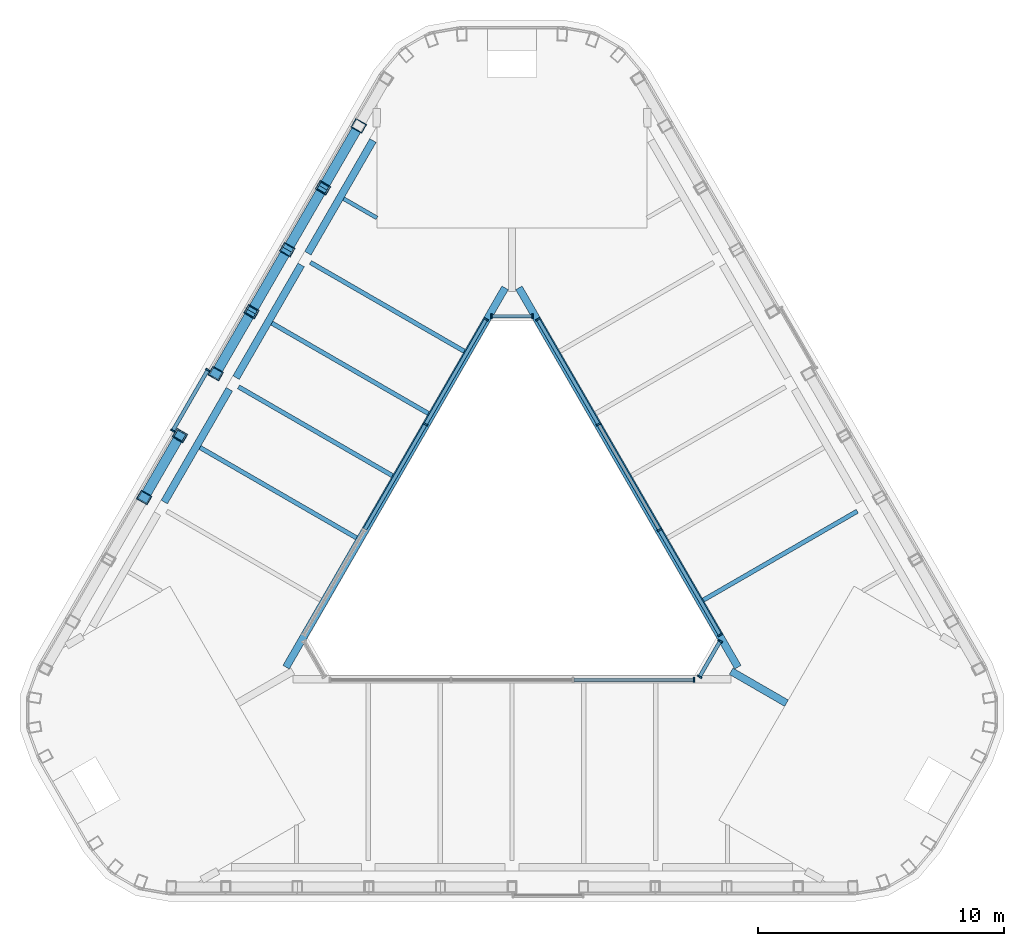
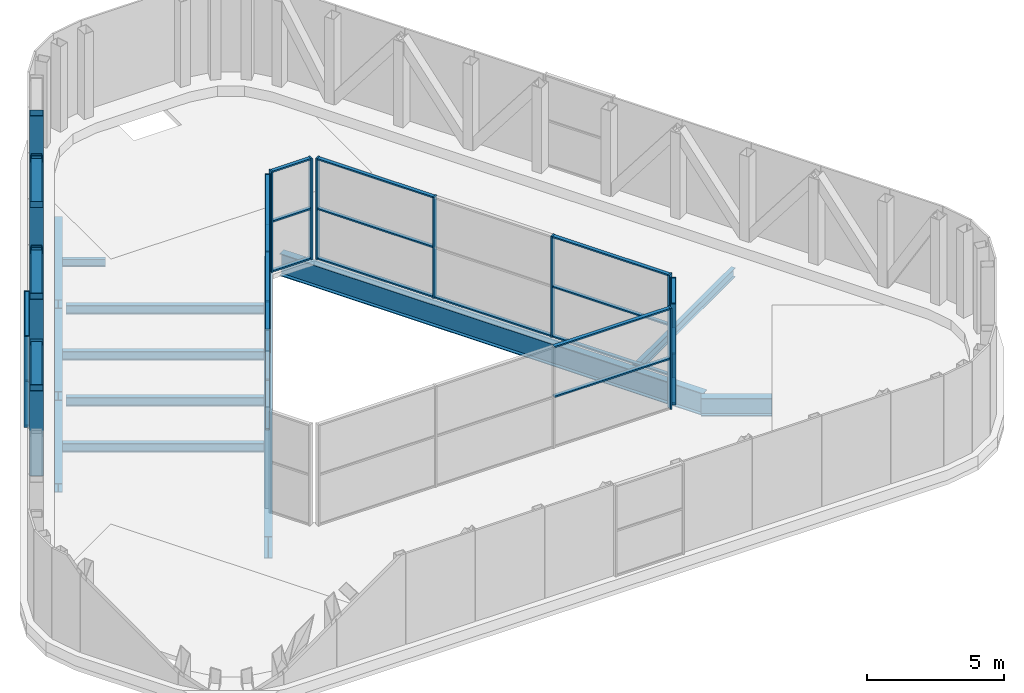
# One storey, part 2 of 5: 49 members, 12 beams, 6 elements without a shape of their own.
"""IFC4 building model written with IfcOpenShell, lengths in metres."""

from ifc_helpers import new_model, si_unit, direction, frame, origin, origin_2d, place, context, subcontext, project, spatial, rectangle, hollow_rectangle, i_section, extrude, material, layer, layer_set, material_profile, profile_set, type_object, element, aggregate, save


model = new_model("IFC4")

# Units and contexts
model_context = context("Model", 3, precision=1e-05, world=origin(), true_north=direction((0.0, 1.0)))
body_context = subcontext(model_context, "Body", "Model", "MODEL_VIEW")
ifc_project = project(units=[si_unit("LENGTHUNIT", "METRE"), si_unit("AREAUNIT", "SQUARE_METRE"), si_unit("VOLUMEUNIT", "CUBIC_METRE"), si_unit("PLANEANGLEUNIT", "RADIAN"), si_unit("MASSUNIT", "GRAM", prefix="KILO")], contexts=[model_context])

# Site, building, storey
site_placement = place(None, origin())
site = spatial("IfcSite", under=ifc_project, at=site_placement, CompositionType="ELEMENT")
building_placement = place(site_placement, origin())
building = spatial("IfcBuilding", under=site, at=building_placement, Name="Apuvela Tower Hotel", CompositionType="ELEMENT")
storey_placement = place(building_placement, frame((0.0, 0.0, 348.800048828125)))
storey = spatial("IfcBuildingStorey", under=building, at=storey_placement, Name="R-2 ROOF", CompositionType="ELEMENT", Elevation=348.800048828125)

# Members
ifc_material_1 = material(Name="Steel S355, black paint system", Category="steel")
ifc_material_profile_1 = material_profile(ifc_material_1, hollow_rectangle(XDim=0.39990234375, YDim=0.39990234375, WallThickness=0.01611328125, at=origin_2d()), Name="HSS 400x400x16")
ifc_profile_set_1 = profile_set([ifc_material_profile_1], Name="Steel S355, black paint system")
member_type_1 = type_object("IfcMemberType", Name="ENV-CROWN-BRACE-400x400", PredefinedType="BRACE", material=ifc_profile_set_1)
member_1_placement = place(storey_placement, frame((-6.236572265625, 17.050537109375, 0.449951171875), z_axis=(-0.304086116951, -0.526783429164, 0.793744828164), x_axis=(0.866062731661, -0.499935340648, 0.0)))
element("IfcMember", 1, at=member_1_placement, inside=storey, type_object=member_type_1, Name="Crown frame brace 8", PredefinedType="BRACE", context=body_context, shape_type="SweptSolid", body=[
    extrude(hollow_rectangle(XDim=0.39990234375, YDim=0.39990234375, WallThickness=0.01611328125, at=origin_2d()), origin(), (0.0, 0.0, 1.0), 4.78759765625),
])
for number, where, z_axis, x_axis, name in (
    (2, (-9.1484375, 12.0068359375, 0.449951171875), (0.304140565661, 0.526738414272, 0.793753840463), (-0.866005469285, 0.500034525977, 0.0), "Crown frame brace 9"),
    (3, (-9.1484375, 12.0068359375, 0.449951171875), (-0.304140565661, -0.526738414272, 0.793753840463), (0.866005469285, -0.500034525977, 0.0), "Crown frame brace 10"),
):
    element("IfcMember", number, at=place(storey_placement, frame(where, z_axis=z_axis, x_axis=x_axis)), inside=storey, type_object=member_type_1, Name=name, PredefinedType="BRACE", context=body_context, shape_type="SweptSolid", body=[
        extrude(hollow_rectangle(XDim=0.39990234375, YDim=0.39990234375, WallThickness=0.01611328125, at=origin_2d()), origin(), (0.0, 0.0, 1.0), 4.787353515625),
    ])
member_2_placement = place(storey_placement, frame((-12.060302734375, 6.963134765625, 0.449951171875), z_axis=(0.304086116951, 0.526783429164, 0.793744828164), x_axis=(-0.866062731661, 0.499935340648, 0.0)))
element("IfcMember", 4, at=member_2_placement, inside=storey, type_object=member_type_1, Name="Crown frame brace 11", PredefinedType="BRACE", context=body_context, shape_type="SweptSolid", body=[
    extrude(hollow_rectangle(XDim=0.39990234375, YDim=0.39990234375, WallThickness=0.01611328125, at=origin_2d()), origin(), (0.0, 0.0, 1.0), 4.78759765625),
])
member_3_placement = place(storey_placement, frame((-14.972412109375, 1.91943359375, 0.449951171875), z_axis=(0.304140565661, 0.526738414272, 0.793753840463), x_axis=(-0.866005469285, 0.500034525977, 0.0)))
element("IfcMember", 5, at=member_3_placement, inside=storey, type_object=member_type_1, Name="Crown frame brace 13", PredefinedType="BRACE", context=body_context, shape_type="SweptSolid", body=[
    extrude(hollow_rectangle(XDim=0.39990234375, YDim=0.39990234375, WallThickness=0.01611328125, at=origin_2d()), origin(), (0.0, 0.0, 1.0), 4.787353515625),
])
ifc_material_profile_2 = material_profile(ifc_material_1, hollow_rectangle(XDim=0.39990234375, YDim=0.5, WallThickness=0.02001953125, at=origin_2d()), Name="HSS 500x400x20")
ifc_profile_set_2 = profile_set([ifc_material_profile_2], Name="Steel S355, black paint system")
member_type_2 = type_object("IfcMemberType", Name="ENV-CROWN-POST-500x400", PredefinedType="POST", material=ifc_profile_set_2)
for number, where, z_axis, x_axis, name in (
    (6, (-6.236572265625, 17.050537109375, 0.449951171875), (0.0, 0.0, 1.0), (-0.5, -0.866025403784, 0.0), "Crown frame post 8"),
    (7, (-7.6923828125, 14.528564453125, 0.449951171875), (0.0, 0.0, 1.0), (-0.5, -0.866025403784, 0.0), "Crown frame post 9"),
    (8, (-9.1484375, 12.0068359375, 0.449951171875), (0.0, 0.0, 1.0), (-0.5, -0.866025403784, 0.0), "Crown frame post 10"),
    (9, (-10.6044921875, 9.485107421875, 0.449951171875), (0.0, 0.0, 1.0), (-0.5, -0.866025403784, 0.0), "Crown frame post 11"),
    (10, (-12.060302734375, 6.963134765625, 0.449951171875), (0.0, 0.0, 1.0), (-0.5, -0.866025403784, 0.0), "Crown frame post 12"),
    (11, (-13.516357421875, 4.441162109375, 0.449951171875), (0.0, 0.0, 1.0), (-0.5, -0.866025403784, 0.0), "Crown frame post 13"),
    (12, (-14.972412109375, 1.91943359375, 0.449951171875), (0.0, 0.0, 1.0), (-0.5, -0.866025403784, 0.0), "Crown frame post 14"),
):
    element("IfcMember", number, at=place(storey_placement, frame(where, z_axis=z_axis, x_axis=x_axis)), inside=storey, type_object=member_type_2, Name=name, PredefinedType="POST", context=body_context, shape_type="SweptSolid", body=[
        extrude(hollow_rectangle(XDim=0.39990234375, YDim=0.5, WallThickness=0.02001953125, at=origin_2d()), origin(), (0.0, 0.0, 1.0), 3.800048828125),
    ])

# Curtain wall, members
ifc_material_2 = material(Name="Aluminium 6063-T6, dark bronze anodised", Category="aluminium")
ifc_layer_1 = layer(ifc_material_2, 0.199951171875)
ifc_layer_set_1 = layer_set([ifc_layer_1], Name="ENV-CW-C")
curtain_wall_type_1 = type_object("IfcCurtainWallType", Name="ENV-CW-C", PredefinedType="NOTDEFINED", material=ifc_layer_set_1)
curtain_wall_1_placement = place(storey_placement, origin())
curtain_wall_1 = element("IfcCurtainWall", 13, at=curtain_wall_1_placement, inside=storey, type_object=curtain_wall_type_1, Name="Crown glazing 12 R-2 ROOF", PredefinedType="NOTDEFINED")
ifc_material_profile_3 = material_profile(ifc_material_2, rectangle(XDim=0.199951171875, YDim=0.06494140625, at=origin_2d()), Name="AL 65x200")
ifc_profile_set_3 = profile_set([ifc_material_profile_3], Name="Aluminium 6063-T6, dark bronze anodised")
member_type_3 = type_object("IfcMemberType", Name="ENV-MULLION-65x200", PredefinedType="MULLION", material=ifc_profile_set_3)
member_4_placement = place(storey_placement, frame((-12.3798828125, 7.10986328125, 0.449951171875), z_axis=(0.0, 0.0, 1.0), x_axis=(0.866036603266, -0.499980601426, 0.0)))
member_4 = element("IfcMember", 14, at=member_4_placement, type_object=member_type_3, Name="CW-C mullion 1", PredefinedType="MULLION", context=body_context, shape_type="SweptSolid", body=[
    extrude(rectangle(XDim=0.199951171875, YDim=0.06494140625, at=origin_2d()), origin(), (0.0, 0.0, 1.0), 4.050048828125),
])
member_5_placement = place(storey_placement, frame((-13.805908203125, 4.6396484375, 0.449951171875), z_axis=(0.0, 0.0, 1.0), x_axis=(0.866036603266, -0.499980601426, 0.0)))
member_5 = element("IfcMember", 15, at=member_5_placement, type_object=member_type_3, Name="CW-C mullion 2", PredefinedType="MULLION", context=body_context, shape_type="SweptSolid", body=[
    extrude(rectangle(XDim=0.199951171875, YDim=0.06494140625, at=origin_2d()), origin(), (0.0, 0.0, 1.0), 4.050048828125),
])

ifc_layer_2 = layer(ifc_material_2, 0.199951171875)
ifc_layer_set_2 = layer_set([ifc_layer_2], Name="ENV-CW-A")
curtain_wall_type_2 = type_object("IfcCurtainWallType", Name="ENV-CW-A", PredefinedType="NOTDEFINED", material=ifc_layer_set_2)
curtain_wall_2_placement = place(storey_placement, origin())
curtain_wall_2 = element("IfcCurtainWall", 16, at=curtain_wall_2_placement, inside=storey, type_object=curtain_wall_type_2, Name="Atrium glazing 1 R-2 ROOF", PredefinedType="NOTDEFINED")
member_6_placement = place(storey_placement, frame((0.83349609375, 9.300048828125, 0.0), z_axis=(0.0, 0.0, 1.0), x_axis=(0.0, -1.0, 0.0)))
member_6 = element("IfcMember", 17, at=member_6_placement, type_object=member_type_3, Name="CW-A mullion 1", PredefinedType="MULLION", context=body_context, shape_type="SweptSolid", body=[
    extrude(rectangle(XDim=0.199951171875, YDim=0.06494140625, at=origin_2d()), origin(), (0.0, 0.0, 1.0), 4.5),
])
member_7_placement = place(storey_placement, frame((-0.83349609375, 9.300048828125, 0.0), z_axis=(0.0, 0.0, 1.0), x_axis=(0.0, -1.0, 0.0)))
member_7 = element("IfcMember", 18, at=member_7_placement, type_object=member_type_3, Name="CW-A mullion 2", PredefinedType="MULLION", context=body_context, shape_type="SweptSolid", body=[
    extrude(rectangle(XDim=0.199951171875, YDim=0.06494140625, at=origin_2d()), origin(), (0.0, 0.0, 1.0), 4.5),
])

curtain_wall_3_placement = place(storey_placement, origin())
curtain_wall_3 = element("IfcCurtainWall", 19, at=curtain_wall_3_placement, inside=storey, type_object=curtain_wall_type_2, Name="Atrium glazing 2 R-2 ROOF", PredefinedType="NOTDEFINED")
member_8_placement = place(storey_placement, frame((-1.055419921875, 9.171875, 0.0), z_axis=(0.0, 0.0, 1.0), x_axis=(0.866025940778, -0.499999069899, 0.0)))
member_8 = element("IfcMember", 20, at=member_8_placement, type_object=member_type_3, Name="CW-A mullion 1", PredefinedType="MULLION", context=body_context, shape_type="SweptSolid", body=[
    extrude(rectangle(XDim=0.199951171875, YDim=0.06494140625, at=origin_2d()), origin(), (0.0, 0.0, 1.0), 4.5),
])
member_9_placement = place(storey_placement, frame((-3.521728515625, 4.89990234375, 0.0), z_axis=(0.0, 0.0, 1.0), x_axis=(0.866025940778, -0.499999069899, 0.0)))
member_9 = element("IfcMember", 21, at=member_9_placement, type_object=member_type_3, Name="CW-A mullion 2", PredefinedType="MULLION", context=body_context, shape_type="SweptSolid", body=[
    extrude(rectangle(XDim=0.199951171875, YDim=0.06494140625, at=origin_2d()), origin(), (0.0, 0.0, 1.0), 4.5),
])

# Curtain wall, member
curtain_wall_4_placement = place(storey_placement, origin())
curtain_wall_4 = element("IfcCurtainWall", 22, at=curtain_wall_4_placement, inside=storey, type_object=curtain_wall_type_2, Name="Atrium glazing 4 R-2 ROOF", PredefinedType="NOTDEFINED")
member_10_placement = place(storey_placement, frame((7.415283203125, -5.5, 0.0), z_axis=(0.0, 0.0, 1.0), x_axis=(0.0, 1.0, 0.0)))
member_10 = element("IfcMember", 23, at=member_10_placement, type_object=member_type_3, Name="CW-A mullion 4", PredefinedType="MULLION", context=body_context, shape_type="SweptSolid", body=[
    extrude(rectangle(XDim=0.199951171875, YDim=0.06494140625, at=origin_2d()), origin(), (0.0, 0.0, 1.0), 4.5),
])

# Curtain wall, members
curtain_wall_5_placement = place(storey_placement, origin())
curtain_wall_5 = element("IfcCurtainWall", 24, at=curtain_wall_5_placement, inside=storey, type_object=curtain_wall_type_2, Name="Atrium glazing 5 R-2 ROOF", PredefinedType="NOTDEFINED")
member_11_placement = place(storey_placement, frame((7.63720703125, -5.371826171875, 0.0), z_axis=(0.0, 0.0, 1.0), x_axis=(-0.866031754706, 0.49998899972, 0.0)))
member_11 = element("IfcMember", 25, at=member_11_placement, type_object=member_type_3, Name="CW-A mullion 1", PredefinedType="MULLION", context=body_context, shape_type="SweptSolid", body=[
    extrude(rectangle(XDim=0.199951171875, YDim=0.06494140625, at=origin_2d()), origin(), (0.0, 0.0, 1.0), 4.5),
])
member_12_placement = place(storey_placement, frame((8.470703125, -3.92822265625, 0.0), z_axis=(0.0, 0.0, 1.0), x_axis=(-0.866031754706, 0.49998899972, 0.0)))
member_12 = element("IfcMember", 26, at=member_12_placement, type_object=member_type_3, Name="CW-A mullion 2", PredefinedType="MULLION", context=body_context, shape_type="SweptSolid", body=[
    extrude(rectangle(XDim=0.199951171875, YDim=0.06494140625, at=origin_2d()), origin(), (0.0, 0.0, 1.0), 4.5),
])

curtain_wall_6_placement = place(storey_placement, origin())
curtain_wall_6 = element("IfcCurtainWall", 27, at=curtain_wall_6_placement, inside=storey, type_object=curtain_wall_type_2, Name="Atrium glazing 6 R-2 ROOF", PredefinedType="NOTDEFINED")
member_13_placement = place(storey_placement, frame((8.470703125, -3.671875, 0.0), z_axis=(0.0, 0.0, 1.0), x_axis=(-0.866025940778, -0.499999069899, 0.0)))
member_13 = element("IfcMember", 28, at=member_13_placement, type_object=member_type_3, Name="CW-A mullion 1", PredefinedType="MULLION", context=body_context, shape_type="SweptSolid", body=[
    extrude(rectangle(XDim=0.199951171875, YDim=0.06494140625, at=origin_2d()), origin(), (0.0, 0.0, 1.0), 4.5),
])
member_14_placement = place(storey_placement, frame((6.00439453125, 0.60009765625, 0.0), z_axis=(0.0, 0.0, 1.0), x_axis=(-0.866025940778, -0.499999069899, 0.0)))
member_14 = element("IfcMember", 29, at=member_14_placement, type_object=member_type_3, Name="CW-A mullion 2", PredefinedType="MULLION", context=body_context, shape_type="SweptSolid", body=[
    extrude(rectangle(XDim=0.199951171875, YDim=0.06494140625, at=origin_2d()), origin(), (0.0, 0.0, 1.0), 4.5),
])
member_15_placement = place(storey_placement, frame((3.521728515625, 4.89990234375, 0.0), z_axis=(0.0, 0.0, 1.0), x_axis=(-0.866025940778, -0.499999069899, 0.0)))
member_15 = element("IfcMember", 30, at=member_15_placement, type_object=member_type_3, Name="CW-A mullion 3", PredefinedType="MULLION", context=body_context, shape_type="SweptSolid", body=[
    extrude(rectangle(XDim=0.199951171875, YDim=0.06494140625, at=origin_2d()), origin(), (0.0, 0.0, 1.0), 4.5),
])
member_16_placement = place(storey_placement, frame((1.055419921875, 9.171875, 0.0), z_axis=(0.0, 0.0, 1.0), x_axis=(-0.866025940778, -0.499999069899, 0.0)))
member_16 = element("IfcMember", 31, at=member_16_placement, type_object=member_type_3, Name="CW-A mullion 4", PredefinedType="MULLION", context=body_context, shape_type="SweptSolid", body=[
    extrude(rectangle(XDim=0.199951171875, YDim=0.06494140625, at=origin_2d()), origin(), (0.0, 0.0, 1.0), 4.5),
])

# Member
ifc_material_profile_4 = material_profile(ifc_material_2, rectangle(XDim=0.14990234375, YDim=0.06494140625, at=origin_2d()), Name="AL 65x150 transom")
ifc_profile_set_4 = profile_set([ifc_material_profile_4], Name="Aluminium 6063-T6, dark bronze anodised")
member_type_4 = type_object("IfcMemberType", Name="ENV-TRANSOM-65x150", PredefinedType="USERDEFINED", material=ifc_profile_set_4)
member_17_placement = place(storey_placement, frame((-12.39599609375, 7.081787109375, 0.482421875), z_axis=(-0.500048472683, -0.865997416259, 0.0), x_axis=(0.865997416259, -0.500048472683, 0.0)))
member_17 = element("IfcMember", 32, at=member_17_placement, type_object=member_type_4, Name="CW-C transom 1.1", ObjectType="TRANSOM", PredefinedType="USERDEFINED", context=body_context, shape_type="SweptSolid", body=[
    extrude(rectangle(XDim=0.14990234375, YDim=0.06494140625, at=origin_2d()), origin(), (0.0, 0.0, 1.0), 2.787353515625),
])

member_18_placement = place(storey_placement, frame((-12.39599609375, 7.081787109375, 2.474853515625), z_axis=(-0.500048472683, -0.865997416259, 0.0), x_axis=(0.865997416259, -0.500048472683, 0.0)))
member_18 = element("IfcMember", 33, at=member_18_placement, type_object=member_type_4, Name="CW-C transom 1.2", ObjectType="TRANSOM", PredefinedType="USERDEFINED", context=body_context, shape_type="SweptSolid", body=[
    extrude(rectangle(XDim=0.14990234375, YDim=0.06494140625, at=origin_2d()), origin(), (0.0, 0.0, 1.0), 2.787353515625),
])

member_19_placement = place(storey_placement, frame((-12.39599609375, 7.081787109375, 4.467529296875), z_axis=(-0.500048472683, -0.865997416259, 0.0), x_axis=(0.865997416259, -0.500048472683, 0.0)))
member_19 = element("IfcMember", 34, at=member_19_placement, type_object=member_type_4, Name="CW-C transom 1.3", ObjectType="TRANSOM", PredefinedType="USERDEFINED", context=body_context, shape_type="SweptSolid", body=[
    extrude(rectangle(XDim=0.14990234375, YDim=0.06494140625, at=origin_2d()), origin(), (0.0, 0.0, 1.0), 2.787353515625),
])

aggregate(curtain_wall_1, [member_4, member_5, member_17, member_18, member_19])

member_20_placement = place(storey_placement, frame((0.801025390625, 9.300048828125, 0.032470703125), z_axis=(-1.0, 0.0, 0.0), x_axis=(0.0, -1.0, 0.0)))
member_20 = element("IfcMember", 35, at=member_20_placement, type_object=member_type_4, Name="CW-A transom 1.1", ObjectType="TRANSOM", PredefinedType="USERDEFINED", context=body_context, shape_type="SweptSolid", body=[
    extrude(rectangle(XDim=0.14990234375, YDim=0.06494140625, at=origin_2d()), origin(), (0.0, 0.0, 1.0), 1.60205078125),
])

member_21_placement = place(storey_placement, frame((0.801025390625, 9.300048828125, 2.25), z_axis=(-1.0, 0.0, 0.0), x_axis=(0.0, -1.0, 0.0)))
member_21 = element("IfcMember", 36, at=member_21_placement, type_object=member_type_4, Name="CW-A transom 1.2", ObjectType="TRANSOM", PredefinedType="USERDEFINED", context=body_context, shape_type="SweptSolid", body=[
    extrude(rectangle(XDim=0.14990234375, YDim=0.06494140625, at=origin_2d()), origin(), (0.0, 0.0, 1.0), 1.60205078125),
])

member_22_placement = place(storey_placement, frame((0.801025390625, 9.300048828125, 4.467529296875), z_axis=(-1.0, 0.0, 0.0), x_axis=(0.0, -1.0, 0.0)))
member_22 = element("IfcMember", 37, at=member_22_placement, type_object=member_type_4, Name="CW-A transom 1.3", ObjectType="TRANSOM", PredefinedType="USERDEFINED", context=body_context, shape_type="SweptSolid", body=[
    extrude(rectangle(XDim=0.14990234375, YDim=0.06494140625, at=origin_2d()), origin(), (0.0, 0.0, 1.0), 1.60205078125),
])

aggregate(curtain_wall_2, [member_6, member_7, member_20, member_21, member_22])

member_23_placement = place(storey_placement, frame((-1.07177734375, 9.143798828125, 0.032470703125), z_axis=(-0.49999597136, -0.866027729709, 0.0), x_axis=(0.866027729709, -0.49999597136, 0.0)))
member_23 = element("IfcMember", 38, at=member_23_placement, type_object=member_type_4, Name="CW-A transom 1.1", ObjectType="TRANSOM", PredefinedType="USERDEFINED", context=body_context, shape_type="SweptSolid", body=[
    extrude(rectangle(XDim=0.14990234375, YDim=0.06494140625, at=origin_2d()), origin(), (0.0, 0.0, 1.0), 4.86767578125),
])

member_24_placement = place(storey_placement, frame((-1.07177734375, 9.143798828125, 2.25), z_axis=(-0.49999597136, -0.866027729709, 0.0), x_axis=(0.866027729709, -0.49999597136, 0.0)))
member_24 = element("IfcMember", 39, at=member_24_placement, type_object=member_type_4, Name="CW-A transom 1.2", ObjectType="TRANSOM", PredefinedType="USERDEFINED", context=body_context, shape_type="SweptSolid", body=[
    extrude(rectangle(XDim=0.14990234375, YDim=0.06494140625, at=origin_2d()), origin(), (0.0, 0.0, 1.0), 4.86767578125),
])

member_25_placement = place(storey_placement, frame((-1.07177734375, 9.143798828125, 4.467529296875), z_axis=(-0.49999597136, -0.866027729709, 0.0), x_axis=(0.866027729709, -0.49999597136, 0.0)))
member_25 = element("IfcMember", 40, at=member_25_placement, type_object=member_type_4, Name="CW-A transom 1.3", ObjectType="TRANSOM", PredefinedType="USERDEFINED", context=body_context, shape_type="SweptSolid", body=[
    extrude(rectangle(XDim=0.14990234375, YDim=0.06494140625, at=origin_2d()), origin(), (0.0, 0.0, 1.0), 4.86767578125),
])

member_26_placement = place(storey_placement, frame((-3.5380859375, 4.871826171875, 0.032470703125), z_axis=(-0.49998122708, -0.866036242063, 0.0), x_axis=(0.866036242063, -0.49998122708, 0.0)))
member_26 = element("IfcMember", 41, at=member_26_placement, type_object=member_type_4, Name="CW-A transom 2.1", ObjectType="TRANSOM", PredefinedType="USERDEFINED", context=body_context, shape_type="SweptSolid", body=[
    extrude(rectangle(XDim=0.14990234375, YDim=0.06494140625, at=origin_2d()), origin(), (0.0, 0.0, 1.0), 4.900146484375),
])

member_27_placement = place(storey_placement, frame((-3.5380859375, 4.871826171875, 2.25), z_axis=(-0.49998122708, -0.866036242063, 0.0), x_axis=(0.866036242063, -0.49998122708, 0.0)))
member_27 = element("IfcMember", 42, at=member_27_placement, type_object=member_type_4, Name="CW-A transom 2.2", ObjectType="TRANSOM", PredefinedType="USERDEFINED", context=body_context, shape_type="SweptSolid", body=[
    extrude(rectangle(XDim=0.14990234375, YDim=0.06494140625, at=origin_2d()), origin(), (0.0, 0.0, 1.0), 4.900146484375),
])

member_28_placement = place(storey_placement, frame((-3.5380859375, 4.871826171875, 4.467529296875), z_axis=(-0.49998122708, -0.866036242063, 0.0), x_axis=(0.866036242063, -0.49998122708, 0.0)))
member_28 = element("IfcMember", 43, at=member_28_placement, type_object=member_type_4, Name="CW-A transom 2.3", ObjectType="TRANSOM", PredefinedType="USERDEFINED", context=body_context, shape_type="SweptSolid", body=[
    extrude(rectangle(XDim=0.14990234375, YDim=0.06494140625, at=origin_2d()), origin(), (0.0, 0.0, 1.0), 4.900146484375),
])

aggregate(curtain_wall_3, [member_8, member_9, member_23, member_24, member_25, member_26, member_27, member_28])

member_29_placement = place(storey_placement, frame((2.51513671875, -5.5, 2.25), z_axis=(1.0, 0.0, 0.0), x_axis=(0.0, 1.0, 0.0)))
member_29 = element("IfcMember", 44, at=member_29_placement, type_object=member_type_4, Name="CW-A transom 3.2", ObjectType="TRANSOM", PredefinedType="USERDEFINED", context=body_context, shape_type="SweptSolid", body=[
    extrude(rectangle(XDim=0.14990234375, YDim=0.06494140625, at=origin_2d()), origin(), (0.0, 0.0, 1.0), 4.86767578125),
])

member_30_placement = place(storey_placement, frame((2.51513671875, -5.5, 4.467529296875), z_axis=(1.0, 0.0, 0.0), x_axis=(0.0, 1.0, 0.0)))
member_30 = element("IfcMember", 45, at=member_30_placement, type_object=member_type_4, Name="CW-A transom 3.3", ObjectType="TRANSOM", PredefinedType="USERDEFINED", context=body_context, shape_type="SweptSolid", body=[
    extrude(rectangle(XDim=0.14990234375, YDim=0.06494140625, at=origin_2d()), origin(), (0.0, 0.0, 1.0), 4.86767578125),
])

aggregate(curtain_wall_4, [member_10, member_29, member_30])

member_31_placement = place(storey_placement, frame((7.653564453125, -5.34375, 0.032470703125), z_axis=(0.499990676028, 0.866030786915, 0.0), x_axis=(-0.866030786915, 0.499990676028, 0.0)))
member_31 = element("IfcMember", 46, at=member_31_placement, type_object=member_type_4, Name="CW-A transom 1.1", ObjectType="TRANSOM", PredefinedType="USERDEFINED", context=body_context, shape_type="SweptSolid", body=[
    extrude(rectangle(XDim=0.14990234375, YDim=0.06494140625, at=origin_2d()), origin(), (0.0, 0.0, 1.0), 1.60205078125),
])

member_32_placement = place(storey_placement, frame((7.653564453125, -5.34375, 2.25), z_axis=(0.499990676028, 0.866030786915, 0.0), x_axis=(-0.866030786915, 0.499990676028, 0.0)))
member_32 = element("IfcMember", 47, at=member_32_placement, type_object=member_type_4, Name="CW-A transom 1.2", ObjectType="TRANSOM", PredefinedType="USERDEFINED", context=body_context, shape_type="SweptSolid", body=[
    extrude(rectangle(XDim=0.14990234375, YDim=0.06494140625, at=origin_2d()), origin(), (0.0, 0.0, 1.0), 1.60205078125),
])

member_33_placement = place(storey_placement, frame((7.653564453125, -5.34375, 4.467529296875), z_axis=(0.499990676028, 0.866030786915, 0.0), x_axis=(-0.866030786915, 0.499990676028, 0.0)))
member_33 = element("IfcMember", 48, at=member_33_placement, type_object=member_type_4, Name="CW-A transom 1.3", ObjectType="TRANSOM", PredefinedType="USERDEFINED", context=body_context, shape_type="SweptSolid", body=[
    extrude(rectangle(XDim=0.14990234375, YDim=0.06494140625, at=origin_2d()), origin(), (0.0, 0.0, 1.0), 1.60205078125),
])

aggregate(curtain_wall_5, [member_11, member_12, member_31, member_32, member_33])

member_34_placement = place(storey_placement, frame((8.45458984375, -3.643798828125, 0.032470703125), z_axis=(-0.49999597136, 0.866027729709, 0.0), x_axis=(-0.866027729709, -0.49999597136, 0.0)))
member_34 = element("IfcMember", 49, at=member_34_placement, type_object=member_type_4, Name="CW-A transom 1.1", ObjectType="TRANSOM", PredefinedType="USERDEFINED", context=body_context, shape_type="SweptSolid", body=[
    extrude(rectangle(XDim=0.14990234375, YDim=0.06494140625, at=origin_2d()), origin(), (0.0, 0.0, 1.0), 4.86767578125),
])

member_35_placement = place(storey_placement, frame((8.45458984375, -3.643798828125, 2.25), z_axis=(-0.49999597136, 0.866027729709, 0.0), x_axis=(-0.866027729709, -0.49999597136, 0.0)))
member_35 = element("IfcMember", 50, at=member_35_placement, type_object=member_type_4, Name="CW-A transom 1.2", ObjectType="TRANSOM", PredefinedType="USERDEFINED", context=body_context, shape_type="SweptSolid", body=[
    extrude(rectangle(XDim=0.14990234375, YDim=0.06494140625, at=origin_2d()), origin(), (0.0, 0.0, 1.0), 4.86767578125),
])

member_36_placement = place(storey_placement, frame((8.45458984375, -3.643798828125, 4.467529296875), z_axis=(-0.49999597136, 0.866027729709, 0.0), x_axis=(-0.866027729709, -0.49999597136, 0.0)))
member_36 = element("IfcMember", 51, at=member_36_placement, type_object=member_type_4, Name="CW-A transom 1.3", ObjectType="TRANSOM", PredefinedType="USERDEFINED", context=body_context, shape_type="SweptSolid", body=[
    extrude(rectangle(XDim=0.14990234375, YDim=0.06494140625, at=origin_2d()), origin(), (0.0, 0.0, 1.0), 4.86767578125),
])

member_37_placement = place(storey_placement, frame((5.988037109375, 0.628173828125, 0.032470703125), z_axis=(-0.49998122708, 0.866036242063, 0.0), x_axis=(-0.866036242063, -0.49998122708, 0.0)))
member_37 = element("IfcMember", 52, at=member_37_placement, type_object=member_type_4, Name="CW-A transom 2.1", ObjectType="TRANSOM", PredefinedType="USERDEFINED", context=body_context, shape_type="SweptSolid", body=[
    extrude(rectangle(XDim=0.14990234375, YDim=0.06494140625, at=origin_2d()), origin(), (0.0, 0.0, 1.0), 4.900146484375),
])

member_38_placement = place(storey_placement, frame((3.505615234375, 4.92822265625, 0.032470703125), z_axis=(-0.49999597136, 0.866027729709, 0.0), x_axis=(-0.866027729709, -0.49999597136, 0.0)))
member_38 = element("IfcMember", 53, at=member_38_placement, type_object=member_type_4, Name="CW-A transom 3.1", ObjectType="TRANSOM", PredefinedType="USERDEFINED", context=body_context, shape_type="SweptSolid", body=[
    extrude(rectangle(XDim=0.14990234375, YDim=0.06494140625, at=origin_2d()), origin(), (0.0, 0.0, 1.0), 4.86767578125),
])

member_39_placement = place(storey_placement, frame((3.505615234375, 4.92822265625, 2.25), z_axis=(-0.49999597136, 0.866027729709, 0.0), x_axis=(-0.866027729709, -0.49999597136, 0.0)))
member_39 = element("IfcMember", 54, at=member_39_placement, type_object=member_type_4, Name="CW-A transom 3.2", ObjectType="TRANSOM", PredefinedType="USERDEFINED", context=body_context, shape_type="SweptSolid", body=[
    extrude(rectangle(XDim=0.14990234375, YDim=0.06494140625, at=origin_2d()), origin(), (0.0, 0.0, 1.0), 4.86767578125),
])

member_40_placement = place(storey_placement, frame((3.505615234375, 4.92822265625, 4.467529296875), z_axis=(-0.49999597136, 0.866027729709, 0.0), x_axis=(-0.866027729709, -0.49999597136, 0.0)))
member_40 = element("IfcMember", 55, at=member_40_placement, type_object=member_type_4, Name="CW-A transom 3.3", ObjectType="TRANSOM", PredefinedType="USERDEFINED", context=body_context, shape_type="SweptSolid", body=[
    extrude(rectangle(XDim=0.14990234375, YDim=0.06494140625, at=origin_2d()), origin(), (0.0, 0.0, 1.0), 4.86767578125),
])

aggregate(curtain_wall_6, [member_13, member_14, member_15, member_16, member_34, member_35, member_36, member_37, member_38, member_39, member_40])

# Beams
ifc_material_3 = material(Name="Steel S355", Category="steel")
ifc_material_profile_5 = material_profile(ifc_material_3, i_section(OverallWidth=0.159912109375, OverallDepth=0.330078125, WebThickness=0.007568359375, FlangeThickness=0.011474609375, at=origin_2d()), Name="IPE 330")
ifc_profile_set_5 = profile_set([ifc_material_profile_5], Name="Steel S355")
beam_type_1 = type_object("IfcBeamType", Name="STR-B floor beam IPE 330", PredefinedType="BEAM", material=ifc_profile_set_5)
beam_1_placement = place(storey_placement, frame((-6.853271484375, 14.082275390625, -0.364990234375), z_axis=(0.866042488821, -0.49997040668, 0.0), x_axis=(0.49997040668, 0.866042488821, 0.0)))
element("IfcBeam", 56, at=beam_1_placement, inside=storey, type_object=beam_type_1, Name="Floor beam B1 NW2", PredefinedType="BEAM", context=body_context, shape_type="SweptSolid", body=[
    extrude(i_section(OverallWidth=0.159912109375, OverallDepth=0.330078125, WebThickness=0.007568359375, FlangeThickness=0.011474609375, at=origin_2d()), origin(), (0.0, 0.0, 1.0), 1.5625),
])
ifc_material_profile_6 = material_profile(ifc_material_3, i_section(OverallWidth=0.179931640625, OverallDepth=0.39990234375, WebThickness=0.008544921875, FlangeThickness=0.013427734375, at=origin_2d()), Name="IPE 400")
ifc_profile_set_6 = profile_set([ifc_material_profile_6], Name="Steel S355")
beam_type_2 = type_object("IfcBeamType", Name="STR-B floor beam IPE 400", PredefinedType="BEAM", material=ifc_profile_set_6)
for number, where, z_axis, x_axis, name in (
    (57, (14.052490234375, 1.36279296875, -0.400146484375), (-0.866034347176, -0.499984509272, 0.0), (0.499984509272, -0.866034347176, 0.0), "Floor beam B2 NE3"),
    (58, (-8.20654296875, 11.48828125, -0.400146484375), (0.866034347176, -0.499984509272, 0.0), (0.499984509272, 0.866034347176, 0.0), "Floor beam B2 NW3"),
):
    element("IfcBeam", number, at=place(storey_placement, frame(where, z_axis=z_axis, x_axis=x_axis)), inside=storey, type_object=beam_type_2, Name=name, PredefinedType="BEAM", context=body_context, shape_type="SweptSolid", body=[
        extrude(i_section(OverallWidth=0.179931640625, OverallDepth=0.39990234375, WebThickness=0.008544921875, FlangeThickness=0.013427734375, at=origin_2d()), origin(), (0.0, 0.0, 1.0), 7.231201171875),
    ])
beam_2_placement = place(storey_placement, frame((-9.776123046875, 9.01953125, -0.400146484375), z_axis=(0.866016463813, -0.500015484165, 0.0), x_axis=(0.500015484165, 0.866016463813, 0.0)))
element("IfcBeam", 59, at=beam_2_placement, inside=storey, type_object=beam_type_2, Name="Floor beam B2 NW4", PredefinedType="BEAM", context=body_context, shape_type="SweptSolid", body=[
    extrude(i_section(OverallWidth=0.179931640625, OverallDepth=0.39990234375, WebThickness=0.008544921875, FlangeThickness=0.013427734375, at=origin_2d()), origin(), (0.0, 0.0, 1.0), 7.356201171875),
])
beam_3_placement = place(storey_placement, frame((-11.12939453125, 6.425537109375, -0.400146484375), z_axis=(0.866025906777, -0.49999912879, 0.0), x_axis=(0.49999912879, 0.866025906777, 0.0)))
element("IfcBeam", 60, at=beam_3_placement, inside=storey, type_object=beam_type_2, Name="Floor beam B2 NW5", PredefinedType="BEAM", context=body_context, shape_type="SweptSolid", body=[
    extrude(i_section(OverallWidth=0.179931640625, OverallDepth=0.39990234375, WebThickness=0.008544921875, FlangeThickness=0.013427734375, at=origin_2d()), origin(), (0.0, 0.0, 1.0), 7.23095703125),
])
beam_4_placement = place(storey_placement, frame((-12.69921875, 3.956787109375, -0.400146484375), z_axis=(0.866016463813, -0.500015484165, 0.0), x_axis=(0.500015484165, 0.866016463813, 0.0)))
element("IfcBeam", 61, at=beam_4_placement, inside=storey, type_object=beam_type_2, Name="Floor beam B2 NW6", PredefinedType="BEAM", context=body_context, shape_type="SweptSolid", body=[
    extrude(i_section(OverallWidth=0.179931640625, OverallDepth=0.39990234375, WebThickness=0.008544921875, FlangeThickness=0.013427734375, at=origin_2d()), origin(), (0.0, 0.0, 1.0), 7.356201171875),
])
ifc_material_profile_7 = material_profile(ifc_material_3, i_section(OverallWidth=0.300048828125, OverallDepth=0.989990234375, WebThickness=0.0166015625, FlangeThickness=0.031005859375, at=origin_2d()), Name="HE 1000 A")
ifc_profile_set_7 = profile_set([ifc_material_profile_7], Name="Steel S355")
beam_type_3 = type_object("IfcBeamType", Name="STR-G atrium ring girder HE 1000 A", PredefinedType="BEAM", material=ifc_profile_set_7)
for number, where, z_axis, x_axis, name in (
    (62, (-0.27978515625, 10.455078125, -0.695068359375), (-0.500006541319, -0.866021627119, 0.0), (0.866021627119, -0.500006541319, 0.0), "Atrium ring girder G3 N-SW"),
    (63, (9.1943359375, -4.985107421875, -0.695068359375), (-0.500006541319, 0.866021627119, 0.0), (-0.866021627119, -0.500006541319, 0.0), "Atrium ring girder G3 SE-N"),
):
    element("IfcBeam", number, at=place(storey_placement, frame(where, z_axis=z_axis, x_axis=x_axis)), inside=storey, type_object=beam_type_3, Name=name, PredefinedType="BEAM", context=body_context, shape_type="SweptSolid", body=[
        extrude(i_section(OverallWidth=0.300048828125, OverallDepth=0.989990234375, WebThickness=0.0166015625, FlangeThickness=0.031005859375, at=origin_2d()), origin(), (0.0, 0.0, 1.0), 17.828857421875),
    ])
ifc_material_profile_8 = material_profile(ifc_material_3, i_section(OverallWidth=0.300048828125, OverallDepth=0.800048828125, WebThickness=0.017578125, FlangeThickness=0.032958984375, at=origin_2d()), Name="HE 800 B")
ifc_profile_set_8 = profile_set([ifc_material_profile_8], Name="Steel S355")
beam_type_4 = type_object("IfcBeamType", Name="STR-GT core tie beam HE 800 B", PredefinedType="BEAM", material=ifc_profile_set_8)
beam_5_placement = place(storey_placement, frame((11.171630859375, -6.449951171875, -0.60009765625), z_axis=(-0.865997922154, 0.500047596559, 0.0), x_axis=(-0.500047596559, -0.865997922154, 0.0)))
element("IfcBeam", 64, at=beam_5_placement, inside=storey, type_object=beam_type_4, Name="Core tie beam GT1 SE", PredefinedType="BEAM", context=body_context, shape_type="SweptSolid", body=[
    extrude(i_section(OverallWidth=0.300048828125, OverallDepth=0.800048828125, WebThickness=0.017578125, FlangeThickness=0.032958984375, at=origin_2d()), origin(), (0.0, 0.0, 1.0), 2.599853515625),
])
ifc_material_profile_9 = material_profile(ifc_material_3, i_section(OverallWidth=0.300048828125, OverallDepth=0.389892578125, WebThickness=0.010986328125, FlangeThickness=0.01904296875, at=origin_2d()), Name="HE 400 A")
ifc_profile_set_9 = profile_set([ifc_material_profile_9], Name="Steel S355")
beam_type_5 = type_object("IfcBeamType", Name="STR-SB spandrel beam HE 400 A", PredefinedType="SPANDREL", material=ifc_profile_set_9)
for number, where, z_axis, x_axis, name in (
    (65, (-5.6591796875, 16.450439453125, -0.39501953125), (-0.499996467947, -0.866027443007, 0.0), (0.866027443007, -0.499996467947, 0.0), "Spandrel beam SB4 NW1"),
    (66, (-8.58203125, 11.3876953125, -0.39501953125), (-0.499996467947, -0.866027443007, 0.0), (0.866027443007, -0.499996467947, 0.0), "Spandrel beam SB4 NW2"),
    (67, (-11.505126953125, 6.324951171875, -0.39501953125), (-0.499996467947, -0.866027443007, 0.0), (0.866027443007, -0.499996467947, 0.0), "Spandrel beam SB4 NW3"),
):
    element("IfcBeam", number, at=place(storey_placement, frame(where, z_axis=z_axis, x_axis=x_axis)), inside=storey, type_object=beam_type_5, Name=name, PredefinedType="SPANDREL", context=body_context, shape_type="SweptSolid", body=[
        extrude(i_section(OverallWidth=0.300048828125, OverallDepth=0.389892578125, WebThickness=0.010986328125, FlangeThickness=0.01904296875, at=origin_2d()), origin(), (0.0, 0.0, 1.0), 5.2958984375),
    ])

save(model, "model.ifc")
